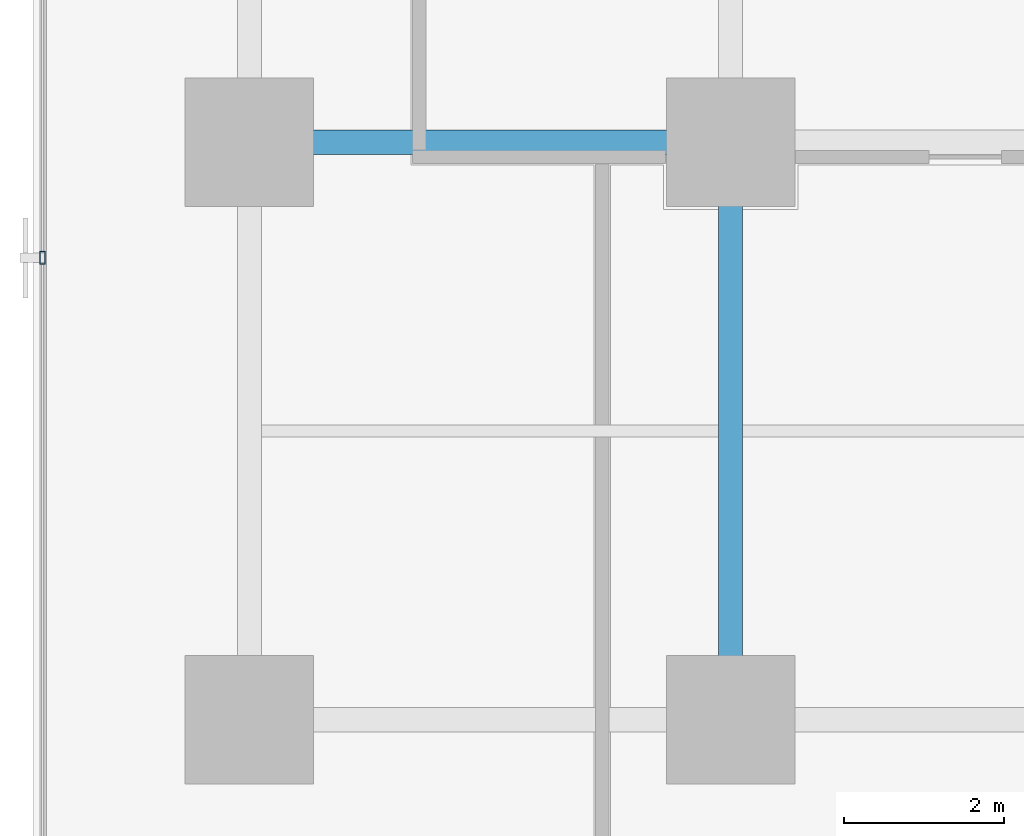
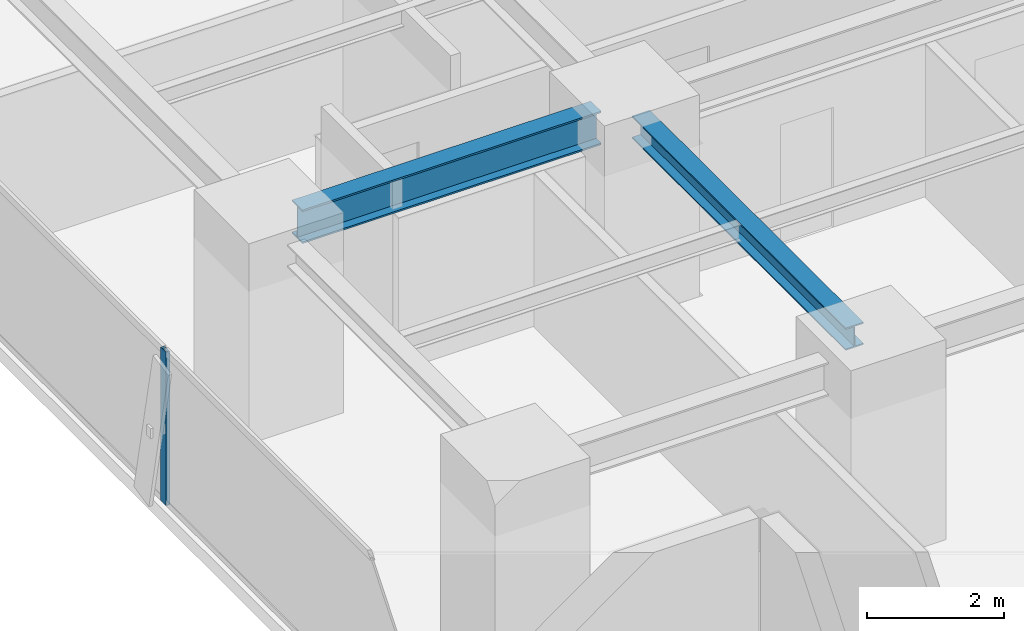
# One storey, part 4 of 35: 2 beams, 1 member, 1 element without a shape of its own.
"""IFC4 building model written with IfcOpenShell, lengths in metres."""

from ifc_helpers import new_model, si_unit, direction, frame, origin, origin_2d, place, context, subcontext, project, spatial, hollow_rectangle, i_section, extrude, source, transform, mapped, material, layer, layer_set, material_profile, profile_set, type_object, element, aggregate, save


model = new_model("IFC4")

# Units and contexts
model_context = context("Model", 3, precision=1e-05, world=origin(), true_north=direction((0.0, 1.0)))
body_context = subcontext(model_context, "Body", "Model", "MODEL_VIEW")
ifc_project = project(units=[si_unit("LENGTHUNIT", "METRE"), si_unit("AREAUNIT", "SQUARE_METRE"), si_unit("VOLUMEUNIT", "CUBIC_METRE"), si_unit("PLANEANGLEUNIT", "RADIAN"), si_unit("MASSUNIT", "GRAM", prefix="KILO")], contexts=[model_context])

# Site, building, storey
site_placement = place(None, origin())
site = spatial("IfcSite", under=ifc_project, at=site_placement, CompositionType="ELEMENT")
building_placement = place(site_placement, origin())
building = spatial("IfcBuilding", under=site, at=building_placement, Name="Sumidabori Civic Tower", CompositionType="ELEMENT")
storey_placement = place(building_placement, frame((0.0, 0.0, 102.800048828125)))
storey = spatial("IfcBuildingStorey", under=building, at=storey_placement, Name="L26", CompositionType="ELEMENT", Elevation=102.800048828125)

# Beams
ifc_material_1 = material(Name="Steel SN490", Category="steel")
ifc_material_profile_1 = material_profile(ifc_material_1, i_section(OverallWidth=0.300048828125, OverallDepth=0.60009765625, WebThickness=0.015380859375, FlangeThickness=0.030029296875, at=origin_2d()), Name="HE 600 B")
ifc_profile_set_1 = profile_set([ifc_material_profile_1], Name="Steel SN490")
beam_type_1 = type_object("IfcBeamType", Name="BM-GIRD-600", PredefinedType="BEAM", material=ifc_profile_set_1)
shared_shape_1 = source(origin(), body_context, "Body", "SweptSolid", [
    extrude(i_section(OverallWidth=0.300048828125, OverallDepth=0.60009765625, WebThickness=0.015380859375, FlangeThickness=0.030029296875, at=origin_2d()), origin(), (0.0, 0.0, 1.0), 5.0400390625),
])
beam_1_placement = place(storey_placement, frame((-22.320068359375, -10.800048828125, 3.06005859375), z_axis=(1.0, 0.0, 0.0), x_axis=(0.0, 1.0, 0.0)))
element("IfcBeam", 1, at=beam_1_placement, inside=storey, type_object=beam_type_1, Name="Primary Girder L26 GX-07", PredefinedType="BEAM", context=body_context, shape_type="MappedRepresentation", body=[
    mapped(shared_shape_1, transform((0.0, 0.0, 0.0), x_axis=(1.0, 0.0, 0.0), y_axis=(0.0, 1.0, 0.0), z_axis=(0.0, 0.0, 1.0), scale=1.0)),
])
ifc_material_profile_2 = material_profile(ifc_material_1, i_section(OverallWidth=0.300048828125, OverallDepth=0.39990234375, WebThickness=0.013427734375, FlangeThickness=0.02392578125, at=origin_2d()), Name="HE 400 B")
ifc_profile_set_2 = profile_set([ifc_material_profile_2], Name="Steel SN490")
beam_type_2 = type_object("IfcBeamType", Name="BM-GIRD-400", PredefinedType="BEAM", material=ifc_profile_set_2)
shared_shape_2 = source(origin(), body_context, "Body", "SweptSolid", [
    extrude(i_section(OverallWidth=0.300048828125, OverallDepth=0.39990234375, WebThickness=0.013427734375, FlangeThickness=0.02392578125, at=origin_2d()), origin(), (0.0, 0.0, 1.0), 6.239990234375),
])
beam_2_placement = place(storey_placement, frame((-16.800048828125, -17.52001953125, 3.159912109375), z_axis=(0.0, 1.0, 0.0), x_axis=(-1.0, 0.0, 0.0)))
element("IfcBeam", 2, at=beam_2_placement, inside=storey, type_object=beam_type_2, Name="Primary Girder L26 GY-25", PredefinedType="BEAM", context=body_context, shape_type="MappedRepresentation", body=[
    mapped(shared_shape_2, transform((0.0, 0.0, 0.0), x_axis=(1.0, 0.0, 0.0), y_axis=(0.0, 1.0, 0.0), z_axis=(0.0, 0.0, 1.0), scale=1.0)),
])

# Curtain wall, member
ifc_material_2 = material(Name="Anodised Bronze Aluminium AW-6063-T6", Category="aluminium")
ifc_layer = layer(ifc_material_2, 0.179931640625, Name="Anodised Bronze Aluminium AW-6063-T6")
ifc_layer_set = layer_set([ifc_layer], Name="Anodised Bronze Aluminium AW-6063-T6")
curtain_wall_type = type_object("IfcCurtainWallType", Name="CW-SYS-3", PredefinedType="NOTDEFINED", material=ifc_layer_set)
curtain_wall_placement = place(storey_placement, origin())
curtain_wall = element("IfcCurtainWall", 3, at=curtain_wall_placement, inside=storey, type_object=curtain_wall_type, Name="Curtain Wall CW:L26:R10", PredefinedType="NOTDEFINED")
ifc_material_profile_3 = material_profile(ifc_material_2, hollow_rectangle(XDim=0.06494140625, YDim=0.159912109375, WallThickness=0.0048828125, at=origin_2d()), Name="ALU MULLION 160x65")
ifc_profile_set_3 = profile_set([ifc_material_profile_3], Name="Anodised Bronze Aluminium AW-6063-T6")
member_type = type_object("IfcMemberType", Name="CW-MUL-160", PredefinedType="MULLION", material=ifc_profile_set_3)
shared_shape_3 = source(origin(), body_context, "Body", "SweptSolid", [
    extrude(hollow_rectangle(XDim=0.06494140625, YDim=0.159912109375, WallThickness=0.0048828125, at=origin_2d()), origin(), (0.0, 0.0, 1.0), 2.739990234375),
])
member_placement = place(storey_placement, frame((-25.3798828125, -12.241943359375, 0.0), z_axis=(0.0, 0.0, 1.0), x_axis=(1.0, 0.0, 0.0)))
member = element("IfcMember", 4, at=member_placement, type_object=member_type, Name="CW-3 mullion 5", PredefinedType="MULLION", context=body_context, shape_type="MappedRepresentation", body=[
    mapped(shared_shape_3, transform((0.0, 0.0, 0.0), x_axis=(1.0, 0.0, 0.0), y_axis=(0.0, 1.0, 0.0), z_axis=(0.0, 0.0, 1.0), scale=1.0)),
])
aggregate(curtain_wall, [member])

save(model, "model.ifc")
